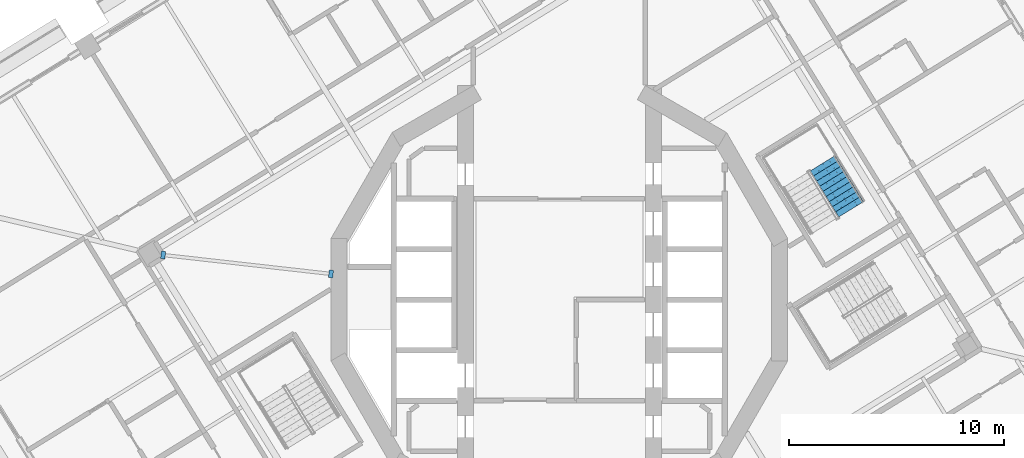
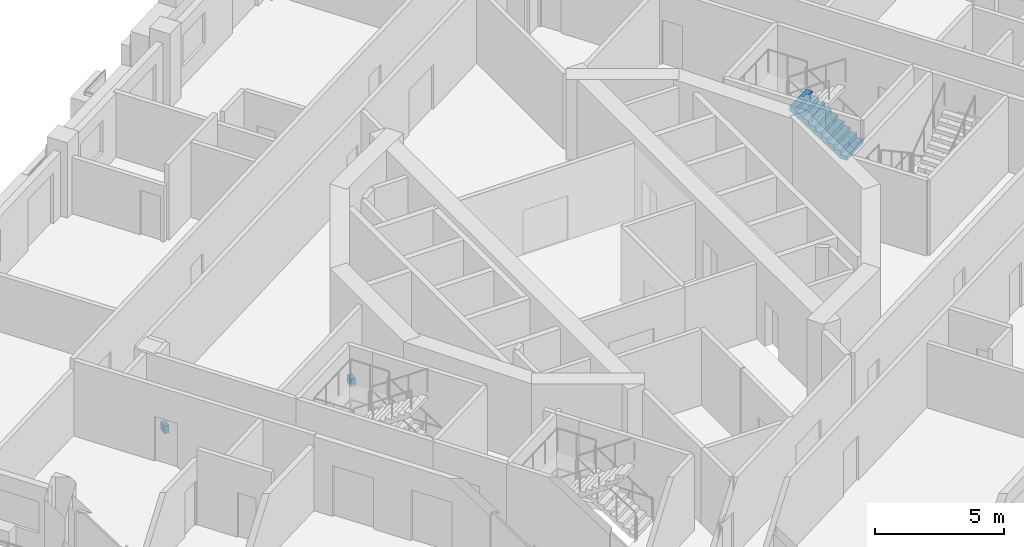
# One storey, part 11 of 20: 2 discrete accessories, 1 stair flight, 1 element without a shape of its own.
"""IFC4 building model written with IfcOpenShell, lengths in metres."""

from ifc_helpers import new_model, si_unit, direction, frame, origin, place, context, subcontext, project, spatial, polyline, outline, extrude, material, layer, layer_set, type_object, element, aggregate, save


model = new_model("IFC4")

# Units and contexts
model_context = context("Model", 3, precision=1e-05, world=origin(), true_north=direction((0.0, 1.0)))
body_context = subcontext(model_context, "Body", "Model", "MODEL_VIEW")
ifc_project = project(units=[si_unit("LENGTHUNIT", "METRE"), si_unit("AREAUNIT", "SQUARE_METRE"), si_unit("VOLUMEUNIT", "CUBIC_METRE"), si_unit("PLANEANGLEUNIT", "RADIAN"), si_unit("MASSUNIT", "GRAM", prefix="KILO")], contexts=[model_context])

# Site, building, storey
site_placement = place(None, origin())
site = spatial("IfcSite", under=ifc_project, at=site_placement, CompositionType="ELEMENT")
building_placement = place(site_placement, origin())
building = spatial("IfcBuilding", under=site, at=building_placement, Name="Cantera Rosa Tower", CompositionType="ELEMENT")
storey_placement = place(building_placement, frame((0.0, 0.0, 159.0)))
storey = spatial("IfcBuildingStorey", under=building, at=storey_placement, Name="L34", CompositionType="ELEMENT", Elevation=159.0)

# Stair, stair flight
ifc_material_1 = material(Name="Concrete C35/45", Category="concrete")
stair_type = type_object("IfcStairType", Name="EXIT STAIR 1350 DOGLEG", PredefinedType="HALF_TURN_STAIR", material=ifc_material_1)
stair_placement = place(storey_placement, origin())
stair = element("IfcStair", 1, at=stair_placement, inside=storey, type_object=stair_type, Name="L34 ST-31", PredefinedType="HALF_TURN_STAIR")
ifc_material_2 = material(Name="Concrete C35/45", Category="concrete")
stair_flight_type = type_object("IfcStairFlightType", Name="STAIR FLIGHT 1350 R20x190", PredefinedType="STRAIGHT", material=ifc_material_2)
stair_flight_placement = place(storey_placement, frame((13.5732421875, 4.2021484375, 0.0), z_axis=(0.0, 0.0, 1.0), x_axis=(-0.524976585286, 0.851116669383, 0.0)))
stair_flight = element("IfcStairFlight", 2, at=stair_flight_placement, type_object=stair_flight_type, Name="ST-31 flight 1", NumberOfRisers=10, NumberOfTreads=9, PredefinedType="STRAIGHT", RiserHeight=0.19, TreadLength=0.28, context=body_context, shape_type="SweptSolid", body=[
    extrude(outline(polyline([(0.0, 0.0), (0.0, 0.18994140625), (0.280029296875, 0.18994140625), (0.280029296875, 0.3798828125), (0.56005859375, 0.3798828125), (0.56005859375, 0.570068359375), (0.840087890625, 0.570068359375), (0.840087890625, 0.760009765625), (1.1201171875, 0.760009765625), (1.1201171875, 0.949951171875), (1.39990234375, 0.949951171875), (1.39990234375, 1.139892578125), (1.679931640625, 1.139892578125), (1.679931640625, 1.330078125), (1.9599609375, 1.330078125), (1.9599609375, 1.52001953125), (2.239990234375, 1.52001953125), (2.239990234375, 1.7099609375), (2.52001953125, 1.7099609375), (2.52001953125, 1.89990234375), (2.52001953125, 1.52880859375), (0.266845703125, 0.0), (0.0, 0.0)])), frame((0.0, 0.675048828125, 0.0), z_axis=(0.0, -1.0, 0.0), x_axis=(1.0, 0.0, 0.0)), (0.0, 0.0, 1.0), 0.3359375),
    extrude(outline(polyline([(0.0, 0.0), (0.0, 0.18994140625), (0.280029296875, 0.18994140625), (0.280029296875, 0.3798828125), (0.56005859375, 0.3798828125), (0.56005859375, 0.570068359375), (0.840087890625, 0.570068359375), (0.840087890625, 0.760009765625), (1.1201171875, 0.760009765625), (1.1201171875, 0.949951171875), (1.39990234375, 0.949951171875), (1.39990234375, 1.139892578125), (1.679931640625, 1.139892578125), (1.679931640625, 1.330078125), (1.9599609375, 1.330078125), (1.9599609375, 1.52001953125), (2.239990234375, 1.52001953125), (2.239990234375, 1.7099609375), (2.52001953125, 1.7099609375), (2.52001953125, 1.89990234375), (2.52001953125, 1.52880859375), (0.266845703125, 0.0), (0.0, 0.0)])), frame((0.0, 0.337158203125, 0.0), z_axis=(0.0, -1.0, 0.0), x_axis=(1.0, 0.0, 0.0)), (0.0, 0.0, 1.0), 0.3359375),
    extrude(outline(polyline([(0.0, 0.0), (0.0, 0.18994140625), (0.280029296875, 0.18994140625), (0.280029296875, 0.3798828125), (0.56005859375, 0.3798828125), (0.56005859375, 0.570068359375), (0.840087890625, 0.570068359375), (0.840087890625, 0.760009765625), (1.1201171875, 0.760009765625), (1.1201171875, 0.949951171875), (1.39990234375, 0.949951171875), (1.39990234375, 1.139892578125), (1.679931640625, 1.139892578125), (1.679931640625, 1.330078125), (1.9599609375, 1.330078125), (1.9599609375, 1.52001953125), (2.239990234375, 1.52001953125), (2.239990234375, 1.7099609375), (2.52001953125, 1.7099609375), (2.52001953125, 1.89990234375), (2.52001953125, 1.52880859375), (0.266845703125, 0.0), (0.0, 0.0)])), frame((0.0, -0.000732421875, 0.0), z_axis=(0.0, -1.0, 0.0), x_axis=(1.0, 0.0, 0.0)), (0.0, 0.0, 1.0), 0.3359375),
    extrude(outline(polyline([(0.0, 0.0), (0.0, 0.18994140625), (0.280029296875, 0.18994140625), (0.280029296875, 0.3798828125), (0.56005859375, 0.3798828125), (0.56005859375, 0.570068359375), (0.840087890625, 0.570068359375), (0.840087890625, 0.760009765625), (1.1201171875, 0.760009765625), (1.1201171875, 0.949951171875), (1.39990234375, 0.949951171875), (1.39990234375, 1.139892578125), (1.679931640625, 1.139892578125), (1.679931640625, 1.330078125), (1.9599609375, 1.330078125), (1.9599609375, 1.52001953125), (2.239990234375, 1.52001953125), (2.239990234375, 1.7099609375), (2.52001953125, 1.7099609375), (2.52001953125, 1.89990234375), (2.52001953125, 1.52880859375), (0.266845703125, 0.0), (0.0, 0.0)])), frame((0.0, -0.338623046875, 0.0), z_axis=(0.0, -1.0, 0.0), x_axis=(1.0, 0.0, 0.0)), (0.0, 0.0, 1.0), 0.3359375),
])
aggregate(stair, [stair_flight])

# Discrete accessories
ifc_material_3 = material(Name="Steel ASTM A992 (Fy 345 MPa)", Category="steel")
ifc_layer = layer(ifc_material_3, 0.0400390625)
ifc_layer_set = layer_set([ifc_layer], Name="STEEL BEARING PLATE 40")
discrete_accessory_type = type_object("IfcDiscreteAccessoryType", Name="STEEL BEARING PLATE 40", PredefinedType="ANCHORPLATE", material=ifc_layer_set)
discrete_accessory_1_placement = place(storey_placement, frame((0.0, 0.0, -0.659912109375)))
element("IfcDiscreteAccessory", 3, at=discrete_accessory_1_placement, inside=storey, type_object=discrete_accessory_type, Name="BEARING PLATE PG-Z3-01 end 1 L34", PredefinedType="ANCHORPLATE", context=body_context, shape_type="SweptSolid", body=[
    extrude(outline(polyline([(-18.316650390625, 2.242919921875), (-18.515380859375, 2.265380859375), (-18.554931640625, 1.91357421875), (-18.356201171875, 1.89111328125), (-18.316650390625, 2.242919921875)])), origin(), (0.0, 0.0, 1.0), 0.35986328125),
])
discrete_accessory_2_placement = place(storey_placement, frame((0.0, 0.0, -0.659912109375)))
element("IfcDiscreteAccessory", 4, at=discrete_accessory_2_placement, inside=storey, type_object=discrete_accessory_type, Name="BEARING PLATE PG-Z3-01 end 2 L34", PredefinedType="ANCHORPLATE", context=body_context, shape_type="SweptSolid", body=[
    extrude(outline(polyline([(-10.744384765625, 1.033203125), (-10.545654296875, 1.0107421875), (-10.506103515625, 1.3623046875), (-10.70458984375, 1.384765625), (-10.744384765625, 1.033203125)])), origin(), (0.0, 0.0, 1.0), 0.35986328125),
])

save(model, "model.ifc")
